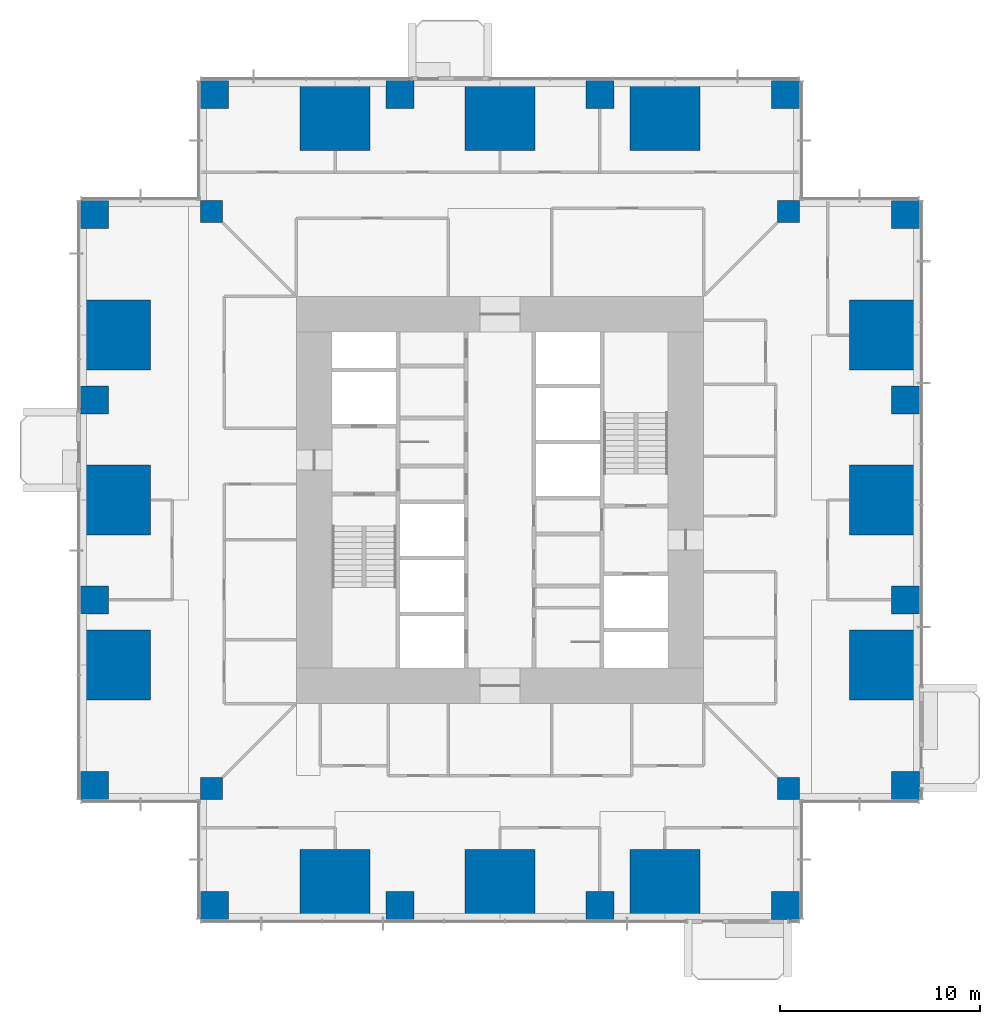
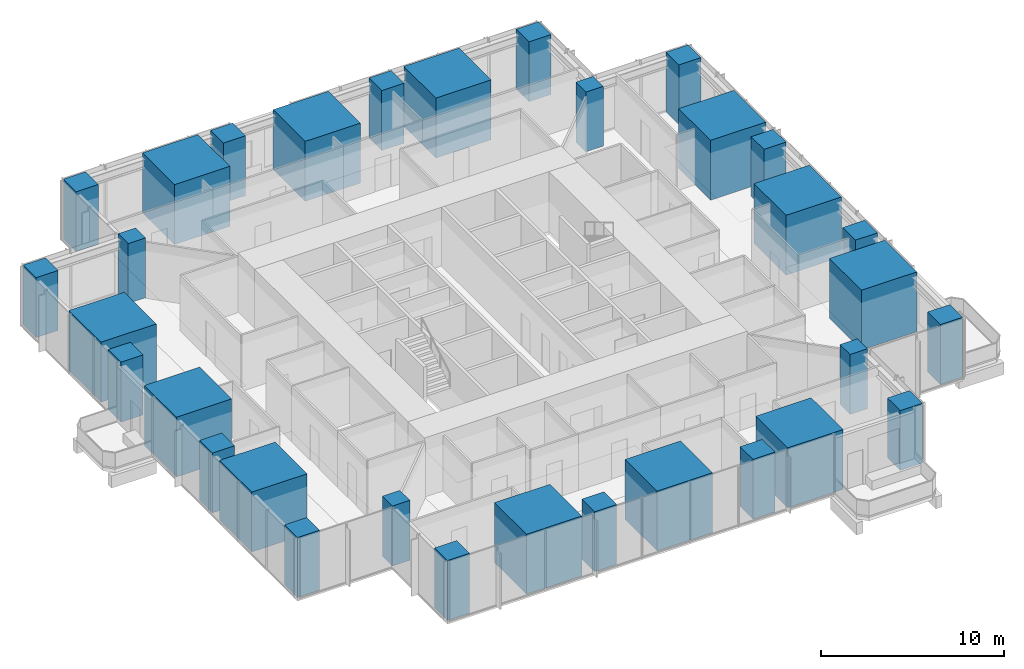
# One storey, part 1 of 16: 32 columns.
"""IFC4 building model written with IfcOpenShell, lengths in metres."""

from ifc_helpers import new_model, si_unit, direction, frame, origin, origin_2d, place, context, subcontext, project, spatial, rectangle, extrude, material, material_profile, profile_set, type_object, element, save


model = new_model("IFC4")

# Units and contexts
model_context = context("Model", 3, precision=1e-05, world=origin(), true_north=direction((0.0, 1.0)))
body_context = subcontext(model_context, "Body", "Model", "MODEL_VIEW")
ifc_project = project(units=[si_unit("LENGTHUNIT", "METRE"), si_unit("AREAUNIT", "SQUARE_METRE"), si_unit("VOLUMEUNIT", "CUBIC_METRE"), si_unit("PLANEANGLEUNIT", "RADIAN"), si_unit("MASSUNIT", "GRAM", prefix="KILO")], contexts=[model_context])

# Site, building, storey
site_placement = place(None, origin())
site = spatial("IfcSite", under=ifc_project, at=site_placement, CompositionType="ELEMENT")
building_placement = place(site_placement, origin())
building = spatial("IfcBuilding", under=site, at=building_placement, Name="Svetlomir Tower", CompositionType="ELEMENT")
storey_placement = place(building_placement, frame((0.0, 0.0, 58.5)))
storey = spatial("IfcBuildingStorey", under=building, at=storey_placement, Name="L13", CompositionType="ELEMENT", Elevation=58.5)

# Columns
ifc_material_1 = material(Name="Concrete C60/75", Category="concrete")
ifc_material_profile_1 = material_profile(ifc_material_1, rectangle(XDim=1.10009765625, YDim=1.10009765625, at=origin_2d()), Name="RC 1100x1100")
ifc_profile_set_1 = profile_set([ifc_material_profile_1], Name="Concrete C60/75")
column_type_1 = type_object("IfcColumnType", Name="COLUMN RC 1100x1100", PredefinedType="COLUMN", material=ifc_profile_set_1)
for number, where, z_axis, x_axis, name in (
    (1, (6.550048828125, 6.550048828125, 0.0), (0.0, 0.0, 1.0), (1.0, 0.0, 0.0), "Column 6/6 L13"),
    (2, (35.449951171875, 6.550048828125, 0.0), (0.0, 0.0, 1.0), (1.0, 0.0, 0.0), "Column 36/6 L13"),
    (3, (6.550048828125, 35.449951171875, 0.0), (0.0, 0.0, 1.0), (1.0, 0.0, 0.0), "Column 6/36 L13"),
    (4, (35.449951171875, 35.449951171875, 0.0), (0.0, 0.0, 1.0), (1.0, 0.0, 0.0), "Column 36/36 L13"),
):
    element("IfcColumn", number, at=place(storey_placement, frame(where, z_axis=z_axis, x_axis=x_axis)), inside=storey, type_object=column_type_1, Name=name, PredefinedType="COLUMN", context=body_context, shape_type="SweptSolid", body=[
        extrude(rectangle(XDim=1.10009765625, YDim=1.10009765625, at=origin_2d()), origin(), (0.0, 0.0, 1.0), 4.0),
    ])
ifc_material_2 = material(Name="Concrete C60/75", Category="concrete")
ifc_material_profile_2 = material_profile(ifc_material_2, rectangle(XDim=1.39990234375, YDim=1.39990234375, at=origin_2d()), Name="RC 1400x1400")
ifc_profile_set_2 = profile_set([ifc_material_profile_2], Name="Concrete C60/75")
column_type_2 = type_object("IfcColumnType", Name="COLUMN RC 1400x1400", PredefinedType="COLUMN", material=ifc_profile_set_2)
for number, where, z_axis, x_axis, name in (
    (5, (6.699951171875, 0.699951171875, 0.0), (0.0, 0.0, 1.0), (1.0, 0.0, 0.0), "Column 6/0 L13"),
    (6, (16.0, 0.699951171875, 0.0), (0.0, 0.0, 1.0), (1.0, 0.0, 0.0), "Column 16/0 L13"),
    (7, (26.0, 0.699951171875, 0.0), (0.0, 0.0, 1.0), (1.0, 0.0, 0.0), "Column 26/0 L13"),
    (8, (35.300048828125, 0.699951171875, 0.0), (0.0, 0.0, 1.0), (1.0, 0.0, 0.0), "Column 36/0 L13"),
    (9, (0.699951171875, 6.699951171875, 0.0), (0.0, 0.0, 1.0), (1.0, 0.0, 0.0), "Column 0/6 L13"),
    (10, (41.300048828125, 6.699951171875, 0.0), (0.0, 0.0, 1.0), (1.0, 0.0, 0.0), "Column 42/6 L13"),
    (11, (0.699951171875, 16.0, 0.0), (0.0, 0.0, 1.0), (1.0, 0.0, 0.0), "Column 0/16 L13"),
    (12, (41.300048828125, 16.0, 0.0), (0.0, 0.0, 1.0), (1.0, 0.0, 0.0), "Column 42/16 L13"),
    (13, (0.699951171875, 26.0, 0.0), (0.0, 0.0, 1.0), (1.0, 0.0, 0.0), "Column 0/26 L13"),
    (14, (41.300048828125, 26.0, 0.0), (0.0, 0.0, 1.0), (1.0, 0.0, 0.0), "Column 42/26 L13"),
    (15, (0.699951171875, 35.300048828125, 0.0), (0.0, 0.0, 1.0), (1.0, 0.0, 0.0), "Column 0/36 L13"),
    (16, (41.300048828125, 35.300048828125, 0.0), (0.0, 0.0, 1.0), (1.0, 0.0, 0.0), "Column 42/36 L13"),
    (17, (6.699951171875, 41.300048828125, 0.0), (0.0, 0.0, 1.0), (1.0, 0.0, 0.0), "Column 6/42 L13"),
    (18, (16.0, 41.300048828125, 0.0), (0.0, 0.0, 1.0), (1.0, 0.0, 0.0), "Column 16/42 L13"),
    (19, (26.0, 41.300048828125, 0.0), (0.0, 0.0, 1.0), (1.0, 0.0, 0.0), "Column 26/42 L13"),
    (20, (35.300048828125, 41.300048828125, 0.0), (0.0, 0.0, 1.0), (1.0, 0.0, 0.0), "Column 36/42 L13"),
):
    element("IfcColumn", number, at=place(storey_placement, frame(where, z_axis=z_axis, x_axis=x_axis)), inside=storey, type_object=column_type_2, Name=name, PredefinedType="COLUMN", context=body_context, shape_type="SweptSolid", body=[
        extrude(rectangle(XDim=1.39990234375, YDim=1.39990234375, at=origin_2d()), origin(), (0.0, 0.0, 1.0), 4.0),
    ])
ifc_material_3 = material(Name="Concrete C60/75", Category="concrete")
ifc_material_profile_3 = material_profile(ifc_material_3, rectangle(XDim=3.5, YDim=3.5, at=origin_2d()), Name="RC 3500x3500")
ifc_profile_set_3 = profile_set([ifc_material_profile_3], Name="Concrete C60/75")
column_type_3 = type_object("IfcColumnType", Name="COLUMN RC 3500x3500", PredefinedType="COLUMN", material=ifc_profile_set_3)
for number, where, z_axis, x_axis, name in (
    (21, (12.75, 1.75, 0.0), (0.0, 0.0, 1.0), (1.0, 0.0, 0.0), "Column 11/0 L13"),
    (22, (21.0, 1.75, 0.0), (0.0, 0.0, 1.0), (1.0, 0.0, 0.0), "Column 21/0 L13"),
    (23, (29.25, 1.75, 0.0), (0.0, 0.0, 1.0), (1.0, 0.0, 0.0), "Column 31/0 L13"),
    (24, (1.75, 12.75, 0.0), (0.0, 0.0, 1.0), (1.0, 0.0, 0.0), "Column 0/11 L13"),
    (25, (40.25, 12.75, 0.0), (0.0, 0.0, 1.0), (1.0, 0.0, 0.0), "Column 42/11 L13"),
    (26, (1.75, 21.0, 0.0), (0.0, 0.0, 1.0), (1.0, 0.0, 0.0), "Column 0/21 L13"),
    (27, (40.25, 21.0, 0.0), (0.0, 0.0, 1.0), (1.0, 0.0, 0.0), "Column 42/21 L13"),
    (28, (1.75, 29.25, 0.0), (0.0, 0.0, 1.0), (1.0, 0.0, 0.0), "Column 0/31 L13"),
    (29, (40.25, 29.25, 0.0), (0.0, 0.0, 1.0), (1.0, 0.0, 0.0), "Column 42/31 L13"),
    (30, (12.75, 40.25, 0.0), (0.0, 0.0, 1.0), (1.0, 0.0, 0.0), "Column 11/42 L13"),
    (31, (21.0, 40.25, 0.0), (0.0, 0.0, 1.0), (1.0, 0.0, 0.0), "Column 21/42 L13"),
    (32, (29.25, 40.25, 0.0), (0.0, 0.0, 1.0), (1.0, 0.0, 0.0), "Column 31/42 L13"),
):
    element("IfcColumn", number, at=place(storey_placement, frame(where, z_axis=z_axis, x_axis=x_axis)), inside=storey, type_object=column_type_3, Name=name, PredefinedType="COLUMN", context=body_context, shape_type="SweptSolid", body=[
        extrude(rectangle(XDim=3.5, YDim=3.5, at=origin_2d()), origin(), (0.0, 0.0, 1.0), 4.0),
    ])

save(model, "model.ifc")
